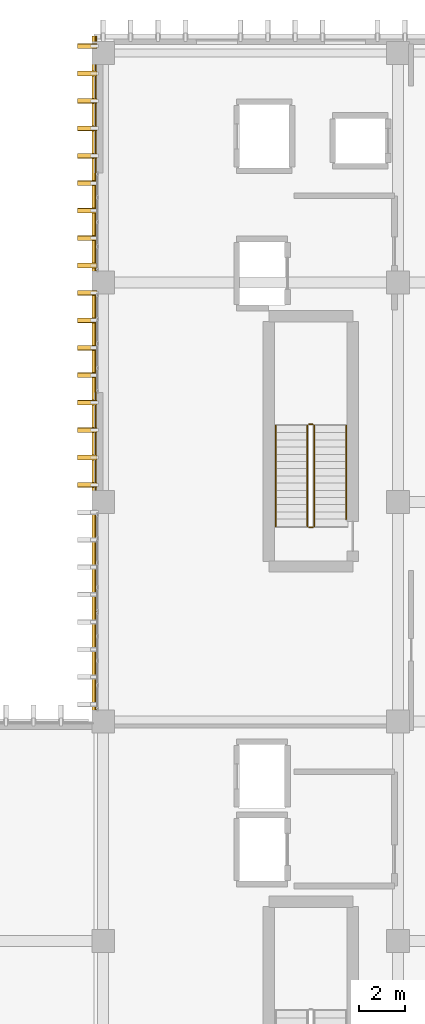
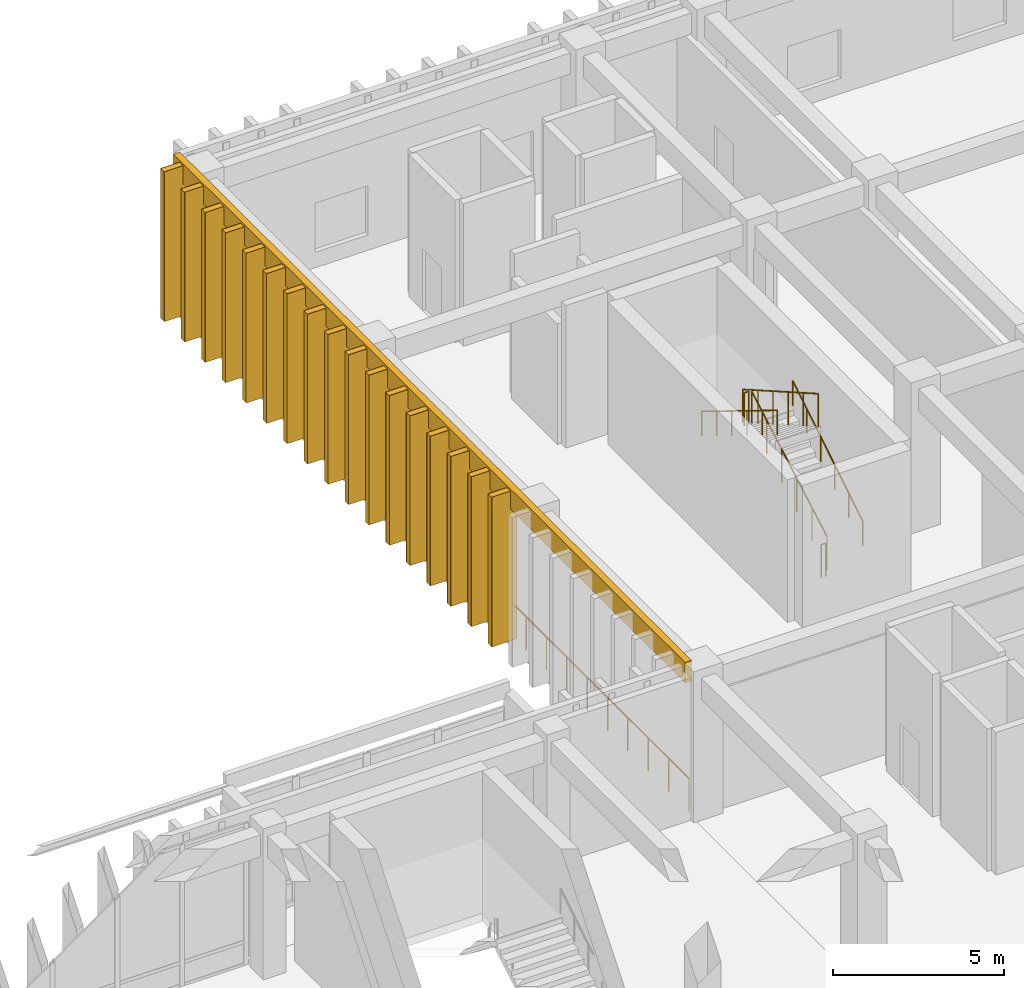
# One storey, part 133 of 134: 18 coverings, 17 shading devices, 7 railings.
"""IFC4 building model written with IfcOpenShell, lengths in metres."""

from ifc_helpers import new_model, si_unit, direction, frame, origin, origin_2d, place, context, subcontext, project, spatial, rectangle, circle, extrude, material, layer, layer_set, type_object, element, save


model = new_model("IFC4")

# Units and contexts
model_context = context("Model", 3, precision=1e-05, world=origin(), true_north=direction((0.0, 1.0)))
body_context = subcontext(model_context, "Body", "Model", "MODEL_VIEW")
ifc_project = project(units=[si_unit("LENGTHUNIT", "METRE"), si_unit("AREAUNIT", "SQUARE_METRE"), si_unit("VOLUMEUNIT", "CUBIC_METRE"), si_unit("PLANEANGLEUNIT", "RADIAN"), si_unit("MASSUNIT", "GRAM", prefix="KILO")], contexts=[model_context])

# Site, building, storey
site_placement = place(None, origin())
site = spatial("IfcSite", under=ifc_project, at=site_placement, CompositionType="ELEMENT")
building_placement = place(site_placement, origin())
building = spatial("IfcBuilding", under=site, at=building_placement, Name="Nakhvara Creek Congress Hotel", CompositionType="ELEMENT")
storey_placement = place(building_placement, frame((0.0, 0.0, 6.0)))
storey = spatial("IfcBuildingStorey", under=building, at=storey_placement, Name="L01", CompositionType="ELEMENT", Elevation=6.0)

# Coverings
ifc_material_1 = material(Name="Honed pale Omani limestone architectural cladding", Category="masonry")
ifc_layer_1 = layer(ifc_material_1, 0.219970703125)
ifc_layer_set_1 = layer_set([ifc_layer_1], Name="Honed pale Omani limestone architectural cladding")
covering_type_1 = type_object("IfcCoveringType", Name="COV-FIN-850", PredefinedType="CLADDING", material=ifc_layer_set_1)
for number, where, z_axis, x_axis, name in (
    (1, (148.7451171875, 106.35009765625, 0.0), (0.0, 0.0, 1.0), (0.0, 1.0, 0.0), "Pale Limestone Fin Cladding CF01-0774"),
    (2, (148.7451171875, 107.550048828125, 0.0), (0.0, 0.0, 1.0), (0.0, 1.0, 0.0), "Pale Limestone Fin Cladding CF01-0776"),
    (3, (148.7451171875, 108.75, 0.0), (0.0, 0.0, 1.0), (0.0, 1.0, 0.0), "Pale Limestone Fin Cladding CF01-0778"),
    (4, (148.7451171875, 109.949951171875, 0.0), (0.0, 0.0, 1.0), (0.0, 1.0, 0.0), "Pale Limestone Fin Cladding CF01-0780"),
    (5, (148.7451171875, 111.14990234375, 0.0), (0.0, 0.0, 1.0), (0.0, 1.0, 0.0), "Pale Limestone Fin Cladding CF01-0782"),
    (6, (148.7451171875, 112.35009765625, 0.0), (0.0, 0.0, 1.0), (0.0, 1.0, 0.0), "Pale Limestone Fin Cladding CF01-0784"),
    (7, (148.7451171875, 113.550048828125, 0.0), (0.0, 0.0, 1.0), (0.0, 1.0, 0.0), "Pale Limestone Fin Cladding CF01-0786"),
    (8, (148.7451171875, 114.75, 0.0), (0.0, 0.0, 1.0), (0.0, 1.0, 0.0), "Pale Limestone Fin Cladding CF01-0788"),
    (9, (148.7451171875, 115.949951171875, 0.0), (0.0, 0.0, 1.0), (0.0, 1.0, 0.0), "Pale Limestone Fin Cladding CF01-0790"),
    (10, (148.7451171875, 117.14990234375, 0.0), (0.0, 0.0, 1.0), (0.0, 1.0, 0.0), "Pale Limestone Fin Cladding CF01-0792"),
    (11, (148.7451171875, 118.35009765625, 0.0), (0.0, 0.0, 1.0), (0.0, 1.0, 0.0), "Pale Limestone Fin Cladding CF01-0794"),
    (12, (148.7451171875, 119.550048828125, 0.0), (0.0, 0.0, 1.0), (0.0, 1.0, 0.0), "Pale Limestone Fin Cladding CF01-0796"),
    (13, (148.7451171875, 120.75, 0.0), (0.0, 0.0, 1.0), (0.0, 1.0, 0.0), "Pale Limestone Fin Cladding CF01-0798"),
    (14, (148.7451171875, 121.949951171875, 0.0), (0.0, 0.0, 1.0), (0.0, 1.0, 0.0), "Pale Limestone Fin Cladding CF01-0800"),
    (15, (148.7451171875, 123.14990234375, 0.0), (0.0, 0.0, 1.0), (0.0, 1.0, 0.0), "Pale Limestone Fin Cladding CF01-0802"),
    (16, (148.7451171875, 124.35009765625, 0.0), (0.0, 0.0, 1.0), (0.0, 1.0, 0.0), "Pale Limestone Fin Cladding CF01-0804"),
    (17, (148.7451171875, 125.550048828125, 0.0), (0.0, 0.0, 1.0), (0.0, 1.0, 0.0), "Pale Limestone Fin Cladding CF01-0806"),
):
    element("IfcCovering", number, at=place(storey_placement, frame(where, z_axis=z_axis, x_axis=x_axis)), inside=storey, type_object=covering_type_1, Name=name, PredefinedType="CLADDING", context=body_context, shape_type="SweptSolid", body=[
        extrude(rectangle(XDim=0.219970703125, YDim=0.85009765625, at=origin_2d()), origin(), (0.0, 0.0, 1.0), 5.360107421875),
    ])
ifc_layer_2 = layer(ifc_material_1, 0.179931640625)
ifc_layer_set_2 = layer_set([ifc_layer_2], Name="Honed pale Omani limestone architectural cladding")
covering_type_2 = type_object("IfcCoveringType", Name="COV-SPN-180", PredefinedType="CLADDING", material=ifc_layer_set_2)
covering_placement = place(storey_placement, frame((149.06005859375, 111.0, 4.7099609375), z_axis=(0.0, 0.0, 1.0), x_axis=(0.0, 1.0, 0.0)))
element("IfcCovering", 18, at=covering_placement, inside=storey, type_object=covering_type_2, Name="Pale Limestone Spandrel Band CF02-0046", PredefinedType="CLADDING", context=body_context, shape_type="SweptSolid", body=[
    extrude(rectangle(XDim=30.0, YDim=0.219970703125, at=origin_2d()), origin(), (0.0, 0.0, 1.0), 0.72998046875),
])

# Railings
ifc_material_2 = material(Name="Brushed stainless steel 316L", Category="steel")
railing_type_1 = type_object("IfcRailingType", Name="RL-GUARD-1200", PredefinedType="GUARDRAIL", material=ifc_material_2)
railing_1_placement = place(storey_placement, frame((149.1298828125, 96.080078125, 0.0)))
element("IfcRailing", 19, at=railing_1_placement, inside=storey, type_object=railing_type_1, Name="Perimeter Safety Rail West North L01", PredefinedType="GUARDRAIL", context=body_context, shape_type="SweptSolid", body=[
    extrude(circle(Radius=0.02392578125, at=origin_2d()), frame((0.0, 0.0146484375, 1.17578125), z_axis=(0.0, 1.0, 0.0), x_axis=(-1.0, 0.0, 0.0)), (0.0, 0.0, 1.0), 29.810546875),
    extrude(circle(Radius=0.02099609375, at=origin_2d()), origin(), (0.0, 0.0, 1.0), 1.1806640625),
    extrude(circle(Radius=0.02099609375, at=origin_2d()), frame((0.0, 1.193603515625, 0.0)), (0.0, 0.0, 1.0), 1.1806640625),
    extrude(circle(Radius=0.02099609375, at=origin_2d()), frame((0.0, 2.38720703125, 0.0)), (0.0, 0.0, 1.0), 1.1806640625),
    extrude(circle(Radius=0.02099609375, at=origin_2d()), frame((0.0, 3.580810546875, 0.0)), (0.0, 0.0, 1.0), 1.1806640625),
    extrude(circle(Radius=0.02099609375, at=origin_2d()), frame((0.0, 4.7744140625, 0.0)), (0.0, 0.0, 1.0), 1.1806640625),
    extrude(circle(Radius=0.02099609375, at=origin_2d()), frame((0.0, 5.968017578125, 0.0)), (0.0, 0.0, 1.0), 1.1806640625),
    extrude(circle(Radius=0.02099609375, at=origin_2d()), frame((0.0, 7.16162109375, 0.0)), (0.0, 0.0, 1.0), 1.1806640625),
    extrude(circle(Radius=0.02099609375, at=origin_2d()), frame((0.0, 8.355224609375, 0.0)), (0.0, 0.0, 1.0), 1.1806640625),
    extrude(circle(Radius=0.02099609375, at=origin_2d()), frame((0.0, 9.548828125, 0.0)), (0.0, 0.0, 1.0), 1.1806640625),
    extrude(circle(Radius=0.02099609375, at=origin_2d()), frame((0.0, 10.742431640625, 0.0)), (0.0, 0.0, 1.0), 1.1806640625),
    extrude(circle(Radius=0.02099609375, at=origin_2d()), frame((0.0, 11.93603515625, 0.0)), (0.0, 0.0, 1.0), 1.1806640625),
    extrude(circle(Radius=0.02099609375, at=origin_2d()), frame((0.0, 13.129638671875, 0.0)), (0.0, 0.0, 1.0), 1.1806640625),
    extrude(circle(Radius=0.02099609375, at=origin_2d()), frame((0.0, 14.3232421875, 0.0)), (0.0, 0.0, 1.0), 1.1806640625),
    extrude(circle(Radius=0.02099609375, at=origin_2d()), frame((0.0, 15.5166015625, 0.0)), (0.0, 0.0, 1.0), 1.1806640625),
    extrude(circle(Radius=0.02099609375, at=origin_2d()), frame((0.0, 16.710205078125, 0.0)), (0.0, 0.0, 1.0), 1.1806640625),
    extrude(circle(Radius=0.02099609375, at=origin_2d()), frame((0.0, 17.90380859375, 0.0)), (0.0, 0.0, 1.0), 1.1806640625),
    extrude(circle(Radius=0.02099609375, at=origin_2d()), frame((0.0, 19.097412109375, 0.0)), (0.0, 0.0, 1.0), 1.1806640625),
    extrude(circle(Radius=0.02099609375, at=origin_2d()), frame((0.0, 20.291015625, 0.0)), (0.0, 0.0, 1.0), 1.1806640625),
    extrude(circle(Radius=0.02099609375, at=origin_2d()), frame((0.0, 21.484619140625, 0.0)), (0.0, 0.0, 1.0), 1.1806640625),
    extrude(circle(Radius=0.02099609375, at=origin_2d()), frame((0.0, 22.67822265625, 0.0)), (0.0, 0.0, 1.0), 1.1806640625),
    extrude(circle(Radius=0.02099609375, at=origin_2d()), frame((0.0, 23.871826171875, 0.0)), (0.0, 0.0, 1.0), 1.1806640625),
    extrude(circle(Radius=0.02099609375, at=origin_2d()), frame((0.0, 25.0654296875, 0.0)), (0.0, 0.0, 1.0), 1.1806640625),
    extrude(circle(Radius=0.02099609375, at=origin_2d()), frame((0.0, 26.259033203125, 0.0)), (0.0, 0.0, 1.0), 1.1806640625),
    extrude(circle(Radius=0.02099609375, at=origin_2d()), frame((0.0, 27.45263671875, 0.0)), (0.0, 0.0, 1.0), 1.1806640625),
    extrude(circle(Radius=0.02099609375, at=origin_2d()), frame((0.0, 28.646240234375, 0.0)), (0.0, 0.0, 1.0), 1.1806640625),
    extrude(circle(Radius=0.02099609375, at=origin_2d()), frame((0.0, 29.83984375, 0.0)), (0.0, 0.0, 1.0), 1.1806640625),
])
railing_2_placement = place(storey_placement, frame((158.68505859375, 104.5400390625, 0.179931640625)))
element("IfcRailing", 20, at=railing_2_placement, inside=storey, type_object=railing_type_1, Name="L01 ST02 stair guard 1", PredefinedType="GUARDRAIL", context=body_context, shape_type="SweptSolid", body=[
    extrude(circle(Radius=0.02392578125, at=origin_2d()), frame((0.0, 0.0126953125, 1.18310546875), z_axis=(0.0, 0.868237226104, 0.49614929125), x_axis=(-1.0, 0.0, 0.0)), (0.0, 0.0, 1.0), 5.0498046875),
    extrude(circle(Radius=0.02099609375, at=origin_2d()), origin(), (0.0, 0.0, 1.0), 1.1806640625),
    extrude(circle(Radius=0.02099609375, at=origin_2d()), frame((0.0, 0.882080078125, 0.50390625)), (0.0, 0.0, 1.0), 1.1806640625),
    extrude(circle(Radius=0.02099609375, at=origin_2d()), frame((0.0, 1.763916015625, 1.008056640625)), (0.0, 0.0, 1.0), 1.1806640625),
    extrude(circle(Radius=0.02099609375, at=origin_2d()), frame((0.0, 2.64599609375, 1.511962890625)), (0.0, 0.0, 1.0), 1.1806640625),
    extrude(circle(Radius=0.02099609375, at=origin_2d()), frame((0.0, 3.52783203125, 2.01611328125)), (0.0, 0.0, 1.0), 1.1806640625),
    extrude(circle(Radius=0.02099609375, at=origin_2d()), frame((0.0, 4.409912109375, 2.52001953125)), (0.0, 0.0, 1.0), 1.1806640625),
])
railing_3_placement = place(storey_placement, frame((158.610107421875, 109.0, 2.699951171875)))
element("IfcRailing", 21, at=railing_3_placement, inside=storey, type_object=railing_type_1, Name="L01 ST02 stair guard 2", PredefinedType="GUARDRAIL", context=body_context, shape_type="SweptSolid", body=[
    extrude(circle(Radius=0.02392578125, at=origin_2d()), frame((-0.0146484375, 0.0, 1.17578125), z_axis=(-1.0, 0.0, 0.0), x_axis=(0.0, -1.0, 0.0)), (0.0, 0.0, 1.0), 0.120849609375),
    extrude(circle(Radius=0.02099609375, at=origin_2d()), origin(), (0.0, 0.0, 1.0), 1.1806640625),
    extrude(circle(Radius=0.02099609375, at=origin_2d()), frame((-0.150146484375, 0.0, 0.0)), (0.0, 0.0, 1.0), 1.1806640625),
])
railing_4_placement = place(storey_placement, frame((158.385009765625, 108.949951171875, 2.8798828125)))
element("IfcRailing", 22, at=railing_4_placement, inside=storey, type_object=railing_type_1, Name="L01 ST02 stair guard 3", PredefinedType="GUARDRAIL", context=body_context, shape_type="SweptSolid", body=[
    extrude(circle(Radius=0.02392578125, at=origin_2d()), frame((0.0, -0.0126953125, 1.18310546875), z_axis=(0.0, -0.868237226104, 0.49614929125), x_axis=(1.0, 0.0, 0.0)), (0.0, 0.0, 1.0), 5.0498046875),
    extrude(circle(Radius=0.02099609375, at=origin_2d()), origin(), (0.0, 0.0, 1.0), 1.1806640625),
    extrude(circle(Radius=0.02099609375, at=origin_2d()), frame((0.0, -0.882080078125, 0.50390625)), (0.0, 0.0, 1.0), 1.1806640625),
    extrude(circle(Radius=0.02099609375, at=origin_2d()), frame((0.0, -1.763916015625, 1.008056640625)), (0.0, 0.0, 1.0), 1.1806640625),
    extrude(circle(Radius=0.02099609375, at=origin_2d()), frame((0.0, -2.64599609375, 1.511962890625)), (0.0, 0.0, 1.0), 1.1806640625),
    extrude(circle(Radius=0.02099609375, at=origin_2d()), frame((0.0, -3.52783203125, 2.01611328125)), (0.0, 0.0, 1.0), 1.1806640625),
    extrude(circle(Radius=0.02099609375, at=origin_2d()), frame((0.0, -4.409912109375, 2.52001953125)), (0.0, 0.0, 1.0), 1.1806640625),
])
railing_5_placement = place(storey_placement, frame((158.610107421875, 104.489990234375, 0.0)))
element("IfcRailing", 23, at=railing_5_placement, inside=storey, type_object=railing_type_1, Name="L01 ST02 stair guard 4", PredefinedType="GUARDRAIL", context=body_context, shape_type="SweptSolid", body=[
    extrude(circle(Radius=0.02392578125, at=origin_2d()), frame((-0.0146484375, 0.0, 1.17578125), z_axis=(-1.0, 0.0, 0.0), x_axis=(0.0, -1.0, 0.0)), (0.0, 0.0, 1.0), 0.120849609375),
    extrude(circle(Radius=0.02099609375, at=origin_2d()), origin(), (0.0, 0.0, 1.0), 1.1806640625),
    extrude(circle(Radius=0.02099609375, at=origin_2d()), frame((-0.150146484375, 0.0, 0.0)), (0.0, 0.0, 1.0), 1.1806640625),
])
railing_type_2 = type_object("IfcRailingType", Name="RL-HAND-900", PredefinedType="HANDRAIL", material=ifc_material_2)
railing_6_placement = place(storey_placement, frame((160.074951171875, 104.85498046875, 0.360107421875)))
element("IfcRailing", 24, at=railing_6_placement, inside=storey, type_object=railing_type_2, Name="L01 ST02 stair handrail 1", PredefinedType="HANDRAIL", context=body_context, shape_type="SweptSolid", body=[
    extrude(circle(Radius=0.02392578125, at=origin_2d()), frame((0.0, 0.012451171875, 0.883544921875), z_axis=(0.0, 0.850634571024, 0.52575738376), x_axis=(-1.0, 0.0, 0.0)), (0.0, 0.0, 1.0), 4.78466796875),
    extrude(circle(Radius=0.02099609375, at=origin_2d()), origin(), (0.0, 0.0, 1.0), 0.880615234375),
    extrude(circle(Radius=0.02099609375, at=origin_2d()), frame((0.0, 0.819091796875, 0.506103515625)), (0.0, 0.0, 1.0), 0.880615234375),
    extrude(circle(Radius=0.02099609375, at=origin_2d()), frame((0.0, 1.637939453125, 1.012451171875)), (0.0, 0.0, 1.0), 0.880615234375),
    extrude(circle(Radius=0.02099609375, at=origin_2d()), frame((0.0, 2.45703125, 1.5185546875)), (0.0, 0.0, 1.0), 0.880615234375),
    extrude(circle(Radius=0.02099609375, at=origin_2d()), frame((0.0, 3.27587890625, 2.02490234375)), (0.0, 0.0, 1.0), 0.880615234375),
    extrude(circle(Radius=0.02099609375, at=origin_2d()), frame((0.0, 4.094970703125, 2.531005859375)), (0.0, 0.0, 1.0), 0.880615234375),
])
railing_7_placement = place(storey_placement, frame((156.9951171875, 108.949951171875, 2.8798828125)))
element("IfcRailing", 25, at=railing_7_placement, inside=storey, type_object=railing_type_2, Name="L01 ST02 stair handrail 2", PredefinedType="HANDRAIL", context=body_context, shape_type="SweptSolid", body=[
    extrude(circle(Radius=0.02392578125, at=origin_2d()), frame((0.0, -0.012451171875, 0.883544921875), z_axis=(0.0, -0.851883319301, 0.523731620486), x_axis=(1.0, 0.0, 0.0)), (0.0, 0.0, 1.0), 5.147216796875),
    extrude(circle(Radius=0.02099609375, at=origin_2d()), origin(), (0.0, 0.0, 1.0), 0.880615234375),
    extrude(circle(Radius=0.02099609375, at=origin_2d()), frame((0.0, -0.882080078125, 0.542236328125)), (0.0, 0.0, 1.0), 0.880615234375),
    extrude(circle(Radius=0.02099609375, at=origin_2d()), frame((0.0, -1.763916015625, 1.08447265625)), (0.0, 0.0, 1.0), 0.880615234375),
    extrude(circle(Radius=0.02099609375, at=origin_2d()), frame((0.0, -2.64599609375, 1.626708984375)), (0.0, 0.0, 1.0), 0.880615234375),
    extrude(circle(Radius=0.02099609375, at=origin_2d()), frame((0.0, -3.52783203125, 2.1689453125)), (0.0, 0.0, 1.0), 0.880615234375),
    extrude(circle(Radius=0.02099609375, at=origin_2d()), frame((0.0, -4.409912109375, 2.711181640625)), (0.0, 0.0, 1.0), 0.880615234375),
])

# Shading devices
ifc_material_3 = material(Name="Honed pale Omani limestone cladding on stainless steel spine", Category="masonry")
shading_device_type = type_object("IfcShadingDeviceType", Name="SHD-FIN-850X4700", PredefinedType="USERDEFINED", material=ifc_material_3)
for number, where, z_axis, x_axis, name in (
    (26, (148.7451171875, 106.35009765625, 0.0), (0.0, 0.0, 1.0), (0.0, 1.0, 0.0), "Limestone Solar Fin FN02-0639"),
    (27, (148.7451171875, 107.550048828125, 0.0), (0.0, 0.0, 1.0), (0.0, 1.0, 0.0), "Limestone Solar Fin FN02-0641"),
    (28, (148.7451171875, 108.75, 0.0), (0.0, 0.0, 1.0), (0.0, 1.0, 0.0), "Limestone Solar Fin FN02-0643"),
    (29, (148.7451171875, 109.949951171875, 0.0), (0.0, 0.0, 1.0), (0.0, 1.0, 0.0), "Limestone Solar Fin FN02-0645"),
    (30, (148.7451171875, 111.14990234375, 0.0), (0.0, 0.0, 1.0), (0.0, 1.0, 0.0), "Limestone Solar Fin FN02-0647"),
    (31, (148.7451171875, 112.35009765625, 0.0), (0.0, 0.0, 1.0), (0.0, 1.0, 0.0), "Limestone Solar Fin FN02-0649"),
    (32, (148.7451171875, 113.550048828125, 0.0), (0.0, 0.0, 1.0), (0.0, 1.0, 0.0), "Limestone Solar Fin FN02-0651"),
    (33, (148.7451171875, 114.75, 0.0), (0.0, 0.0, 1.0), (0.0, 1.0, 0.0), "Limestone Solar Fin FN02-0653"),
    (34, (148.7451171875, 115.949951171875, 0.0), (0.0, 0.0, 1.0), (0.0, 1.0, 0.0), "Limestone Solar Fin FN02-0655"),
    (35, (148.7451171875, 117.14990234375, 0.0), (0.0, 0.0, 1.0), (0.0, 1.0, 0.0), "Limestone Solar Fin FN02-0657"),
    (36, (148.7451171875, 118.35009765625, 0.0), (0.0, 0.0, 1.0), (0.0, 1.0, 0.0), "Limestone Solar Fin FN02-0659"),
    (37, (148.7451171875, 119.550048828125, 0.0), (0.0, 0.0, 1.0), (0.0, 1.0, 0.0), "Limestone Solar Fin FN02-0661"),
    (38, (148.7451171875, 120.75, 0.0), (0.0, 0.0, 1.0), (0.0, 1.0, 0.0), "Limestone Solar Fin FN02-0663"),
    (39, (148.7451171875, 121.949951171875, 0.0), (0.0, 0.0, 1.0), (0.0, 1.0, 0.0), "Limestone Solar Fin FN02-0665"),
    (40, (148.7451171875, 123.14990234375, 0.0), (0.0, 0.0, 1.0), (0.0, 1.0, 0.0), "Limestone Solar Fin FN02-0667"),
    (41, (148.7451171875, 124.35009765625, 0.0), (0.0, 0.0, 1.0), (0.0, 1.0, 0.0), "Limestone Solar Fin FN02-0669"),
    (42, (148.7451171875, 125.550048828125, 0.0), (0.0, 0.0, 1.0), (0.0, 1.0, 0.0), "Limestone Solar Fin FN02-0671"),
):
    element("IfcShadingDevice", number, at=place(storey_placement, frame(where, z_axis=z_axis, x_axis=x_axis)), inside=storey, type_object=shading_device_type, Name=name, ObjectType="FIN", PredefinedType="USERDEFINED", context=body_context, shape_type="SweptSolid", body=[
        extrude(rectangle(XDim=0.199951171875, YDim=0.85009765625, at=origin_2d()), origin(), (0.0, 0.0, 1.0), 5.360107421875),
    ])

save(model, "model.ifc")
